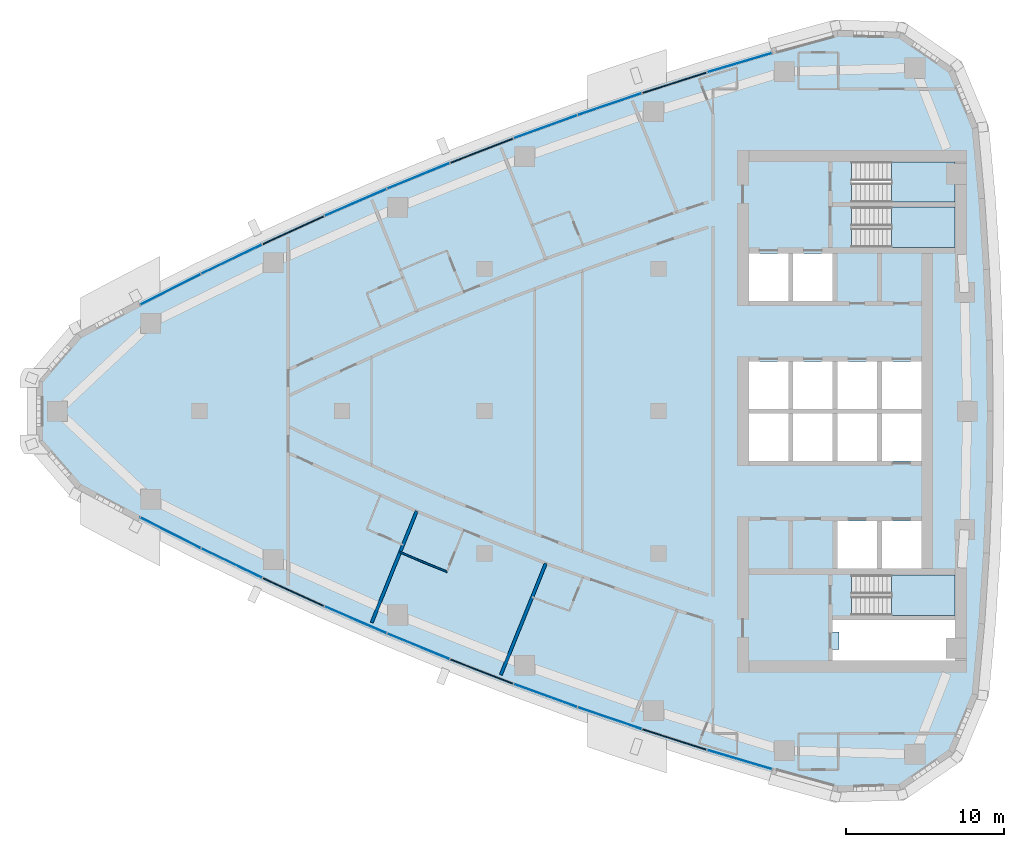
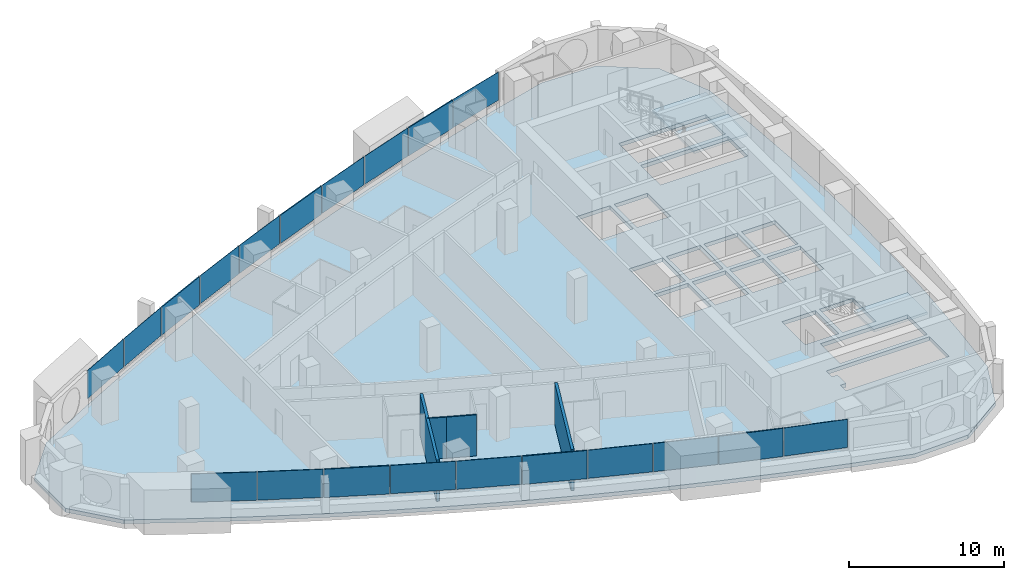
# One storey, part 8 of 17: 20 plates, 4 slabs, 4 walls, 1 opening, 13 elements without a shape of their own.
"""IFC4 building model written with IfcOpenShell, lengths in metres."""

from ifc_helpers import new_model, si_unit, direction, frame, frame_2d, origin, origin_2d, place, context, subcontext, project, spatial, polyline, rectangle, outline, extrude, material, layer, layer_set, type_object, element, aggregate, save


model = new_model("IFC4")

# Units and contexts
model_context = context("Model", 3, precision=1e-05, world=origin(), true_north=direction((0.0, 1.0)))
body_context = subcontext(model_context, "Body", "Model", "MODEL_VIEW")
ifc_project = project(units=[si_unit("LENGTHUNIT", "METRE"), si_unit("AREAUNIT", "SQUARE_METRE"), si_unit("VOLUMEUNIT", "CUBIC_METRE"), si_unit("PLANEANGLEUNIT", "RADIAN"), si_unit("MASSUNIT", "GRAM", prefix="KILO")], contexts=[model_context])

# Site, building, storey
site_placement = place(None, origin())
site = spatial("IfcSite", under=ifc_project, at=site_placement, CompositionType="ELEMENT")
building_placement = place(site_placement, origin())
building = spatial("IfcBuilding", under=site, at=building_placement, Name="Ostrand Prow Hotel Tower", CompositionType="ELEMENT")
storey_placement = place(building_placement, frame((0.0, 0.0, 193.25)))
storey = spatial("IfcBuildingStorey", under=building, at=storey_placement, Name="L48", CompositionType="ELEMENT", Elevation=193.25)

# Curtain wall, plates
ifc_material_1 = material(Name="Insulated glass in bronze anodised frame", Category="glass")
ifc_layer_1 = layer(ifc_material_1, 0.199951171875)
ifc_layer_set_1 = layer_set([ifc_layer_1], Name="Insulated glass in bronze anodised frame")
curtain_wall_type = type_object("IfcCurtainWallType", Name="Strip curtain wall, fritted glass over bronze spandrel", PredefinedType="NOTDEFINED", material=ifc_layer_set_1)
curtain_wall_1_placement = place(storey_placement, origin())
curtain_wall_1 = element("IfcCurtainWall", 1, at=curtain_wall_1_placement, inside=storey, type_object=curtain_wall_type, Name="CW1 run CWS1", PredefinedType="NOTDEFINED")
ifc_material_2 = material(Name="Ceramic-fritted glass", Category="glass")
ifc_layer_2 = layer(ifc_material_2, 0.031982421875)
ifc_layer_set_2 = layer_set([ifc_layer_2], Name="Ceramic-fritted glass")
plate_type_1 = type_object("IfcPlateType", Name="Dot-fritted ceramic glass unit 32 mm", PredefinedType="CURTAIN_PANEL", material=ifc_layer_set_2)
plate_1_placement = place(storey_placement, frame((14.17529296875, -7.6865234375, 1.02001953125), z_axis=(0.0, 0.0, 1.0), x_axis=(0.891683792196, -0.452658828186, 0.0)))
plate_1 = element("IfcPlate", 2, at=plate_1_placement, type_object=plate_type_1, Name="CW1 PN-D panel 1.2", PredefinedType="CURTAIN_PANEL", context=body_context, shape_type="SweptSolid", body=[
    extrude(rectangle(XDim=4.2451171875, YDim=0.031982421875, at=origin_2d()), origin(), (0.0, 0.0, 1.0), 2.22998046875),
])
plate_2_placement = place(storey_placement, frame((18.033203125, -9.596435546875, 1.02001953125), z_axis=(0.0, 0.0, 1.0), x_axis=(0.90061633232, -0.434615027304, 0.0)))
plate_2 = element("IfcPlate", 3, at=plate_2_placement, type_object=plate_type_1, Name="CW1 PN-D panel 2.2", PredefinedType="CURTAIN_PANEL", context=body_context, shape_type="SweptSolid", body=[
    extrude(rectangle(XDim=4.2451171875, YDim=0.031982421875, at=origin_2d()), origin(), (0.0, 0.0, 1.0), 2.22998046875),
])
aggregate(curtain_wall_1, [plate_1, plate_2])

# Curtain wall, plate
curtain_wall_2_placement = place(storey_placement, origin())
curtain_wall_2 = element("IfcCurtainWall", 4, at=curtain_wall_2_placement, inside=storey, type_object=curtain_wall_type, Name="CW1 run CWS2", PredefinedType="NOTDEFINED")
plate_3_placement = place(storey_placement, frame((25.860595703125, -13.181396484375, 1.02001953125), z_axis=(0.0, 0.0, 1.0), x_axis=(0.917383388347, -0.398004671812, 0.0)))
plate_3 = element("IfcPlate", 5, at=plate_3_placement, type_object=plate_type_1, Name="CW1 PN-D panel 2.2", PredefinedType="CURTAIN_PANEL", context=body_context, shape_type="SweptSolid", body=[
    extrude(rectangle(XDim=4.2451171875, YDim=0.031982421875, at=origin_2d()), origin(), (0.0, 0.0, 1.0), 2.22998046875),
])

curtain_wall_3_placement = place(storey_placement, origin())
curtain_wall_3 = element("IfcCurtainWall", 6, at=curtain_wall_3_placement, inside=storey, type_object=curtain_wall_type, Name="CW1 run CWS3", PredefinedType="NOTDEFINED")
plate_4_placement = place(storey_placement, frame((29.826904296875, -14.85498046875, 1.02001953125), z_axis=(0.0, 0.0, 1.0), x_axis=(0.925211042932, -0.379452929936, 0.0)))
plate_4 = element("IfcPlate", 7, at=plate_4_placement, type_object=plate_type_1, Name="CW1 PN-D panel 1.2", PredefinedType="CURTAIN_PANEL", context=body_context, shape_type="SweptSolid", body=[
    extrude(rectangle(XDim=4.2451171875, YDim=0.031982421875, at=origin_2d()), origin(), (0.0, 0.0, 1.0), 2.22998046875),
])

# Curtain wall, plates
curtain_wall_4_placement = place(storey_placement, origin())
curtain_wall_4 = element("IfcCurtainWall", 8, at=curtain_wall_4_placement, inside=storey, type_object=curtain_wall_type, Name="CW1 run CWS4", PredefinedType="NOTDEFINED")
plate_5_placement = place(storey_placement, frame((37.8564453125, -17.960693359375, 1.02001953125), z_axis=(0.0, 0.0, 1.0), x_axis=(0.939737383067, -0.341897134919, 0.0)))
plate_5 = element("IfcPlate", 9, at=plate_5_placement, type_object=plate_type_1, Name="CW1 PN-D panel 1.2", PredefinedType="CURTAIN_PANEL", context=body_context, shape_type="SweptSolid", body=[
    extrude(rectangle(XDim=4.2451171875, YDim=0.031982421875, at=origin_2d()), origin(), (0.0, 0.0, 1.0), 2.22998046875),
])
plate_6_placement = place(storey_placement, frame((41.91650390625, -19.3916015625, 1.02001953125), z_axis=(0.0, 0.0, 1.0), x_axis=(0.946430245113, -0.322908332404, 0.0)))
plate_6 = element("IfcPlate", 10, at=plate_6_placement, type_object=plate_type_1, Name="CW1 PN-D panel 2.2", PredefinedType="CURTAIN_PANEL", context=body_context, shape_type="SweptSolid", body=[
    extrude(rectangle(XDim=4.2451171875, YDim=0.031982421875, at=origin_2d()), origin(), (0.0, 0.0, 1.0), 2.22998046875),
])
aggregate(curtain_wall_4, [plate_5, plate_6])

# Curtain wall, plate
curtain_wall_5_placement = place(storey_placement, origin())
curtain_wall_5 = element("IfcCurtainWall", 11, at=curtain_wall_5_placement, inside=storey, type_object=curtain_wall_type, Name="CW1 run CWS5", PredefinedType="NOTDEFINED")
plate_7_placement = place(storey_placement, frame((50.118896484375, -22.007080078125, 1.02001953125), z_axis=(0.0, 0.0, 1.0), x_axis=(0.958662947758, -0.284544113619, 0.0)))
plate_7 = element("IfcPlate", 12, at=plate_7_placement, type_object=plate_type_1, Name="CW1 PN-D panel 2.2", PredefinedType="CURTAIN_PANEL", context=body_context, shape_type="SweptSolid", body=[
    extrude(rectangle(XDim=4.2451171875, YDim=0.031982421875, at=origin_2d()), origin(), (0.0, 0.0, 1.0), 2.22998046875),
])

curtain_wall_6_placement = place(storey_placement, origin())
curtain_wall_6 = element("IfcCurtainWall", 13, at=curtain_wall_6_placement, inside=storey, type_object=curtain_wall_type, Name="CW1 run CWN1", PredefinedType="NOTDEFINED")
plate_8_placement = place(storey_placement, frame((50.118896484375, 22.007080078125, 1.02001953125), z_axis=(0.0, 0.0, 1.0), x_axis=(-0.958662947758, -0.284544113619, 0.0)))
plate_8 = element("IfcPlate", 14, at=plate_8_placement, type_object=plate_type_1, Name="CW1 PN-D panel 1.2", PredefinedType="CURTAIN_PANEL", context=body_context, shape_type="SweptSolid", body=[
    extrude(rectangle(XDim=4.2451171875, YDim=0.031982421875, at=origin_2d()), origin(), (0.0, 0.0, 1.0), 2.22998046875),
])

# Curtain wall, plates
curtain_wall_7_placement = place(storey_placement, origin())
curtain_wall_7 = element("IfcCurtainWall", 15, at=curtain_wall_7_placement, inside=storey, type_object=curtain_wall_type, Name="CW1 run CWN2", PredefinedType="NOTDEFINED")
plate_9_placement = place(storey_placement, frame((41.91650390625, 19.3916015625, 1.02001953125), z_axis=(0.0, 0.0, 1.0), x_axis=(-0.946430245113, -0.322908332404, 0.0)))
plate_9 = element("IfcPlate", 16, at=plate_9_placement, type_object=plate_type_1, Name="CW1 PN-D panel 1.2", PredefinedType="CURTAIN_PANEL", context=body_context, shape_type="SweptSolid", body=[
    extrude(rectangle(XDim=4.2451171875, YDim=0.031982421875, at=origin_2d()), origin(), (0.0, 0.0, 1.0), 2.22998046875),
])
plate_10_placement = place(storey_placement, frame((37.8564453125, 17.960693359375, 1.02001953125), z_axis=(0.0, 0.0, 1.0), x_axis=(-0.939737383067, -0.341897134919, 0.0)))
plate_10 = element("IfcPlate", 17, at=plate_10_placement, type_object=plate_type_1, Name="CW1 PN-D panel 2.2", PredefinedType="CURTAIN_PANEL", context=body_context, shape_type="SweptSolid", body=[
    extrude(rectangle(XDim=4.2451171875, YDim=0.031982421875, at=origin_2d()), origin(), (0.0, 0.0, 1.0), 2.22998046875),
])
aggregate(curtain_wall_7, [plate_9, plate_10])

# Curtain wall, plate
curtain_wall_8_placement = place(storey_placement, origin())
curtain_wall_8 = element("IfcCurtainWall", 18, at=curtain_wall_8_placement, inside=storey, type_object=curtain_wall_type, Name="CW1 run CWN3", PredefinedType="NOTDEFINED")
plate_11_placement = place(storey_placement, frame((29.826904296875, 14.85498046875, 1.02001953125), z_axis=(0.0, 0.0, 1.0), x_axis=(-0.925211042932, -0.379452929936, 0.0)))
plate_11 = element("IfcPlate", 19, at=plate_11_placement, type_object=plate_type_1, Name="CW1 PN-D panel 2.2", PredefinedType="CURTAIN_PANEL", context=body_context, shape_type="SweptSolid", body=[
    extrude(rectangle(XDim=4.2451171875, YDim=0.031982421875, at=origin_2d()), origin(), (0.0, 0.0, 1.0), 2.22998046875),
])

curtain_wall_9_placement = place(storey_placement, origin())
curtain_wall_9 = element("IfcCurtainWall", 20, at=curtain_wall_9_placement, inside=storey, type_object=curtain_wall_type, Name="CW1 run CWN4", PredefinedType="NOTDEFINED")
plate_12_placement = place(storey_placement, frame((25.860595703125, 13.181396484375, 1.02001953125), z_axis=(0.0, 0.0, 1.0), x_axis=(-0.917383388347, -0.398004671812, 0.0)))
plate_12 = element("IfcPlate", 21, at=plate_12_placement, type_object=plate_type_1, Name="CW1 PN-D panel 1.2", PredefinedType="CURTAIN_PANEL", context=body_context, shape_type="SweptSolid", body=[
    extrude(rectangle(XDim=4.2451171875, YDim=0.031982421875, at=origin_2d()), origin(), (0.0, 0.0, 1.0), 2.22998046875),
])

# Curtain wall, plates
curtain_wall_10_placement = place(storey_placement, origin())
curtain_wall_10 = element("IfcCurtainWall", 22, at=curtain_wall_10_placement, inside=storey, type_object=curtain_wall_type, Name="CW1 run CWN5", PredefinedType="NOTDEFINED")
plate_13_placement = place(storey_placement, frame((18.033203125, 9.596435546875, 1.02001953125), z_axis=(0.0, 0.0, 1.0), x_axis=(-0.90061633232, -0.434615027304, 0.0)))
plate_13 = element("IfcPlate", 23, at=plate_13_placement, type_object=plate_type_1, Name="CW1 PN-D panel 1.2", PredefinedType="CURTAIN_PANEL", context=body_context, shape_type="SweptSolid", body=[
    extrude(rectangle(XDim=4.2451171875, YDim=0.031982421875, at=origin_2d()), origin(), (0.0, 0.0, 1.0), 2.22998046875),
])
plate_14_placement = place(storey_placement, frame((14.17529296875, 7.6865234375, 1.02001953125), z_axis=(0.0, 0.0, 1.0), x_axis=(-0.891683792196, -0.452658828186, 0.0)))
plate_14 = element("IfcPlate", 24, at=plate_14_placement, type_object=plate_type_1, Name="CW1 PN-D panel 2.2", PredefinedType="CURTAIN_PANEL", context=body_context, shape_type="SweptSolid", body=[
    extrude(rectangle(XDim=4.2451171875, YDim=0.031982421875, at=origin_2d()), origin(), (0.0, 0.0, 1.0), 2.22998046875),
])
aggregate(curtain_wall_10, [plate_13, plate_14])

# Plate
ifc_material_3 = material(Name="Fritted glass in bronze vent frame", Category="glass")
ifc_layer_3 = layer(ifc_material_3, 0.080078125)
ifc_layer_set_3 = layer_set([ifc_layer_3], Name="Fritted glass in bronze vent frame")
plate_type_2 = type_object("IfcPlateType", Name="Operable vent panel 80 mm", PredefinedType="CURTAIN_PANEL", material=ifc_layer_set_3)
plate_15_placement = place(storey_placement, frame((21.928955078125, -11.428466796875, 1.02001953125), z_axis=(0.0, 0.0, 1.0), x_axis=(0.909184517226, -0.416393460127, 0.0)))
plate_15 = element("IfcPlate", 25, at=plate_15_placement, type_object=plate_type_2, Name="CW1 PN-O2 panel 1.2", PredefinedType="CURTAIN_PANEL", context=body_context, shape_type="SweptSolid", body=[
    extrude(rectangle(XDim=4.2451171875, YDim=0.080078125, at=origin_2d()), origin(), (0.0, 0.0, 1.0), 2.22998046875),
])

aggregate(curtain_wall_2, [plate_15, plate_3])

plate_16_placement = place(storey_placement, frame((33.826171875, -16.4482421875, 1.02001953125), z_axis=(0.0, 0.0, 1.0), x_axis=(0.932662950972, -0.360748970732, 0.0)))
plate_16 = element("IfcPlate", 26, at=plate_16_placement, type_object=plate_type_2, Name="CW1 PN-O2 panel 2.2", PredefinedType="CURTAIN_PANEL", context=body_context, shape_type="SweptSolid", body=[
    extrude(rectangle(XDim=4.2451171875, YDim=0.080078125, at=origin_2d()), origin(), (0.0, 0.0, 1.0), 2.22998046875),
])

aggregate(curtain_wall_3, [plate_4, plate_16])

plate_17_placement = place(storey_placement, frame((46.00439453125, -20.74072265625, 1.02001953125), z_axis=(0.0, 0.0, 1.0), x_axis=(0.952739983864, -0.303786970008, 0.0)))
plate_17 = element("IfcPlate", 27, at=plate_17_placement, type_object=plate_type_2, Name="CW1 PN-O2 panel 1.2", PredefinedType="CURTAIN_PANEL", context=body_context, shape_type="SweptSolid", body=[
    extrude(rectangle(XDim=4.2451171875, YDim=0.080078125, at=origin_2d()), origin(), (0.0, 0.0, 1.0), 2.22998046875),
])

aggregate(curtain_wall_5, [plate_17, plate_7])

plate_18_placement = place(storey_placement, frame((46.00439453125, 20.74072265625, 1.02001953125), z_axis=(0.0, 0.0, 1.0), x_axis=(-0.952739983864, -0.303786970008, 0.0)))
plate_18 = element("IfcPlate", 28, at=plate_18_placement, type_object=plate_type_2, Name="CW1 PN-O2 panel 2.2", PredefinedType="CURTAIN_PANEL", context=body_context, shape_type="SweptSolid", body=[
    extrude(rectangle(XDim=4.2451171875, YDim=0.080078125, at=origin_2d()), origin(), (0.0, 0.0, 1.0), 2.22998046875),
])

aggregate(curtain_wall_6, [plate_8, plate_18])

plate_19_placement = place(storey_placement, frame((33.826171875, 16.4482421875, 1.02001953125), z_axis=(0.0, 0.0, 1.0), x_axis=(-0.932662950972, -0.360748970732, 0.0)))
plate_19 = element("IfcPlate", 29, at=plate_19_placement, type_object=plate_type_2, Name="CW1 PN-O2 panel 1.2", PredefinedType="CURTAIN_PANEL", context=body_context, shape_type="SweptSolid", body=[
    extrude(rectangle(XDim=4.2451171875, YDim=0.080078125, at=origin_2d()), origin(), (0.0, 0.0, 1.0), 2.22998046875),
])

aggregate(curtain_wall_8, [plate_19, plate_11])

plate_20_placement = place(storey_placement, frame((21.928955078125, 11.428466796875, 1.02001953125), z_axis=(0.0, 0.0, 1.0), x_axis=(-0.909184517226, -0.416393460127, 0.0)))
plate_20 = element("IfcPlate", 30, at=plate_20_placement, type_object=plate_type_2, Name="CW1 PN-O2 panel 2.2", PredefinedType="CURTAIN_PANEL", context=body_context, shape_type="SweptSolid", body=[
    extrude(rectangle(XDim=4.2451171875, YDim=0.080078125, at=origin_2d()), origin(), (0.0, 0.0, 1.0), 2.22998046875),
])

aggregate(curtain_wall_9, [plate_12, plate_20])

# Slab, opening
ifc_material_4 = material(Name="Concrete C40/50", Category="concrete")
ifc_layer_4 = layer(ifc_material_4, 0.300048828125)
ifc_layer_set_4 = layer_set([ifc_layer_4], Name="Concrete C40/50")
slab_type_1 = type_object("IfcSlabType", Name="PT flat plate 300 C40/50", PredefinedType="FLOOR", material=ifc_layer_set_4)
slab_1_placement = place(storey_placement, frame((0.0, 0.0, -0.300048828125)))
slab_1 = element("IfcSlab", 31, at=slab_1_placement, inside=storey, type_object=slab_type_1, Name="Floor slab L48-1", PredefinedType="FLOOR", context=body_context, shape_type="SweptSolid", body=[
    extrude(outline(polyline([(8.22216796875, 5.025634765625), (12.06689453125, 7.07568359375), (15.912841796875, 9.0283203125), (19.797607421875, 10.90283203125), (23.718994140625, 12.698974609375), (27.676025390625, 14.41552734375), (31.666748046875, 16.05224609375), (35.689697265625, 17.6083984375), (39.7431640625, 19.0830078125), (43.8251953125, 20.475830078125), (47.934814453125, 21.7861328125), (52.06982421875, 23.013427734375), (56.26220703125, 24.16650390625), (60.3349609375, 24.0498046875), (63.721435546875, 21.719482421875), (65.2861328125, 17.957275390625), (65.70947265625, 13.453369140625), (66.009765625, 8.974365234375), (66.18994140625, 4.48876953125), (66.25, 0.0), (66.18994140625, -4.48876953125), (66.009765625, -8.974365234375), (65.70947265625, -13.453369140625), (65.2861328125, -17.957275390625), (63.721435546875, -21.719482421875), (60.3349609375, -24.0498046875), (56.26220703125, -24.16650390625), (52.06982421875, -23.013427734375), (47.934814453125, -21.7861328125), (43.8251953125, -20.475830078125), (39.7431640625, -19.0830078125), (35.689697265625, -17.6083984375), (31.666748046875, -16.05224609375), (27.676025390625, -14.41552734375), (23.718994140625, -12.698974609375), (19.797607421875, -10.90283203125), (15.912841796875, -9.0283203125), (12.06689453125, -7.07568359375), (8.22216796875, -5.025634765625), (5.614013671875, -2.014892578125), (5.614013671875, 2.014892578125), (8.22216796875, 5.025634765625)]), holes=[polyline([(50.699951171875, 6.949951171875), (53.199951171875, 6.949951171875), (53.199951171875, 9.949951171875), (50.699951171875, 9.949951171875), (50.699951171875, 6.949951171875)]), polyline([(53.5, 6.949951171875), (56.0, 6.949951171875), (56.0, 9.949951171875), (53.5, 9.949951171875), (53.5, 6.949951171875)]), polyline([(50.699951171875, 0.14990234375), (53.199951171875, 0.14990234375), (53.199951171875, 3.14990234375), (50.699951171875, 3.14990234375), (50.699951171875, 0.14990234375)]), polyline([(53.5, 0.14990234375), (56.0, 0.14990234375), (56.0, 3.14990234375), (53.5, 3.14990234375), (53.5, 0.14990234375)]), polyline([(56.300048828125, 0.14990234375), (58.800048828125, 0.14990234375), (58.800048828125, 3.14990234375), (56.300048828125, 3.14990234375), (56.300048828125, 0.14990234375)]), polyline([(59.10009765625, 0.14990234375), (61.60009765625, 0.14990234375), (61.60009765625, 3.14990234375), (59.10009765625, 3.14990234375), (59.10009765625, 0.14990234375)]), polyline([(50.699951171875, -3.14990234375), (53.199951171875, -3.14990234375), (53.199951171875, -0.14990234375), (50.699951171875, -0.14990234375), (50.699951171875, -3.14990234375)]), polyline([(53.5, -3.14990234375), (56.0, -3.14990234375), (56.0, -0.14990234375), (53.5, -0.14990234375), (53.5, -3.14990234375)]), polyline([(56.300048828125, -3.14990234375), (58.800048828125, -3.14990234375), (58.800048828125, -0.14990234375), (56.300048828125, -0.14990234375), (56.300048828125, -3.14990234375)]), polyline([(59.10009765625, -3.14990234375), (61.60009765625, -3.14990234375), (61.60009765625, -0.14990234375), (59.10009765625, -0.14990234375), (59.10009765625, -3.14990234375)]), polyline([(56.300048828125, -9.949951171875), (58.800048828125, -9.949951171875), (58.800048828125, -6.949951171875), (56.300048828125, -6.949951171875), (56.300048828125, -9.949951171875)]), polyline([(59.10009765625, -9.949951171875), (61.60009765625, -9.949951171875), (61.60009765625, -6.949951171875), (59.10009765625, -6.949951171875), (59.10009765625, -9.949951171875)]), polyline([(57.200927734375, 10.35107421875), (57.200927734375, 12.89892578125), (63.718994140625, 12.89892578125), (63.718994140625, 10.35107421875), (57.200927734375, 10.35107421875)]), polyline([(57.200927734375, 13.200927734375), (57.200927734375, 15.7490234375), (63.718994140625, 15.7490234375), (63.718994140625, 13.200927734375), (57.200927734375, 13.200927734375)]), polyline([(57.200927734375, -12.89892578125), (57.200927734375, -10.35107421875), (63.718994140625, -10.35107421875), (63.718994140625, -12.89892578125), (57.200927734375, -12.89892578125)]), polyline([(63.719970703125, -13.199951171875), (63.719970703125, -15.75), (56.0, -15.75), (56.0, -15.050048828125), (56.39990234375, -15.050048828125), (56.39990234375, -13.949951171875), (56.0, -13.949951171875), (56.0, -13.199951171875), (63.719970703125, -13.199951171875)])]), origin(), (0.0, 0.0, 1.0), 0.300048828125),
])
opening_placement = place(slab_1_placement, origin())
element("IfcOpeningElement", 32, at=opening_placement, cuts=slab_1, Name="Shaft opening 1", PredefinedType="OPENING", context=body_context, shape_type="SweptSolid", body=[
    extrude(outline(polyline([(63.719970703125, -13.199951171875), (63.719970703125, -15.75), (56.0, -15.75), (56.0, -15.050048828125), (56.39990234375, -15.050048828125), (56.39990234375, -13.949951171875), (56.0, -13.949951171875), (56.0, -13.199951171875), (63.719970703125, -13.199951171875)])), origin(), (0.0, 0.0, 1.0), 0.300048828125),
])

# Stair, slab
ifc_material_5 = material(Name="Concrete C40/50", Category="concrete")
stair_type = type_object("IfcStairType", Name="Exit stair 1200 upper zone", PredefinedType="HALF_TURN_STAIR", material=ifc_material_5)
stair_1_placement = place(storey_placement, origin())
stair_1 = element("IfcStair", 33, at=stair_1_placement, inside=storey, type_object=stair_type, Name="L48 ST1C", PredefinedType="HALF_TURN_STAIR")
ifc_material_6 = material(Name="Concrete C40/50", Category="concrete")
ifc_layer_5 = layer(ifc_material_6, 0.199951171875)
ifc_layer_set_5 = layer_set([ifc_layer_5], Name="Concrete C40/50")
slab_type_2 = type_object("IfcSlabType", Name="Stair landing 200 concrete", PredefinedType="LANDING", material=ifc_layer_set_5)
slab_2_placement = place(storey_placement, frame((0.0, 0.0, 1.574951171875)))
slab_2 = element("IfcSlab", 34, at=slab_2_placement, type_object=slab_type_2, Name="ST1C landing 1", PredefinedType="LANDING", context=body_context, shape_type="SweptSolid", body=[
    extrude(outline(polyline([(59.719970703125, 10.35009765625), (63.719970703125, 10.35009765625), (63.719970703125, 12.89990234375), (59.719970703125, 12.89990234375), (59.719970703125, 10.35009765625)])), origin(), (0.0, 0.0, 1.0), 0.199951171875),
])
aggregate(stair_1, [slab_2])

stair_2_placement = place(storey_placement, origin())
stair_2 = element("IfcStair", 35, at=stair_2_placement, inside=storey, type_object=stair_type, Name="L48 ST3C", PredefinedType="HALF_TURN_STAIR")
slab_3_placement = place(storey_placement, frame((0.0, 0.0, 1.574951171875)))
slab_3 = element("IfcSlab", 36, at=slab_3_placement, type_object=slab_type_2, Name="ST3C landing 1", PredefinedType="LANDING", context=body_context, shape_type="SweptSolid", body=[
    extrude(outline(polyline([(59.719970703125, 13.199951171875), (63.719970703125, 13.199951171875), (63.719970703125, 15.75), (59.719970703125, 15.75), (59.719970703125, 13.199951171875)])), origin(), (0.0, 0.0, 1.0), 0.199951171875),
])
aggregate(stair_2, [slab_3])

stair_3_placement = place(storey_placement, origin())
stair_3 = element("IfcStair", 37, at=stair_3_placement, inside=storey, type_object=stair_type, Name="L48 ST2C", PredefinedType="HALF_TURN_STAIR")
slab_4_placement = place(storey_placement, frame((0.0, 0.0, 1.574951171875)))
slab_4 = element("IfcSlab", 38, at=slab_4_placement, type_object=slab_type_2, Name="ST2C landing 1", PredefinedType="LANDING", context=body_context, shape_type="SweptSolid", body=[
    extrude(outline(polyline([(59.719970703125, -12.89990234375), (63.719970703125, -12.89990234375), (63.719970703125, -10.35009765625), (59.719970703125, -10.35009765625), (59.719970703125, -12.89990234375)])), origin(), (0.0, 0.0, 1.0), 0.199951171875),
])
aggregate(stair_3, [slab_4])

# Walls
ifc_material_7 = material(Name="Plasterboard partition")
ifc_layer_6 = layer(ifc_material_7, 0.10009765625)
ifc_layer_set_6 = layer_set([ifc_layer_6], Name="Plasterboard partition")
wall_type_1 = type_object("IfcWallType", Name="Partition 100 bathroom wall", PredefinedType="PARTITIONING", material=ifc_layer_set_6)
wall_1_placement = place(storey_placement, frame((31.6259765625, -10.14501953125, 0.0), z_axis=(0.0, 0.0, 1.0), x_axis=(-0.925208599746, 0.379458887043, 0.0)))
element("IfcWall", 39, at=wall_1_placement, inside=storey, type_object=wall_type_1, Name="BATHROOM WALL", PredefinedType="PARTITIONING", context=body_context, shape_type="SweptSolid", body=[
    extrude(rectangle(XDim=1.97900390625, YDim=0.10009765625, at=frame_2d((0.989501953125, 0.0))), origin(), (0.0, 0.0, 1.0), 3.25),
])
wall_2_placement = place(storey_placement, frame((29.794921875, -9.39404296875, 0.0), z_axis=(0.0, 0.0, 1.0), x_axis=(-0.917378066425, 0.398016938386, 0.0)))
element("IfcWall", 40, at=wall_2_placement, inside=storey, type_object=wall_type_1, Name="BATHROOM WALL", PredefinedType="PARTITIONING", context=body_context, shape_type="SweptSolid", body=[
    extrude(rectangle(XDim=1.22119140625, YDim=0.10009765625, at=frame_2d((0.610595703125, 0.0))), origin(), (0.0, 0.0, 1.0), 3.25),
])
ifc_material_8 = material(Name="Plasterboard partition")
ifc_layer_7 = layer(ifc_material_8, 0.199951171875)
ifc_layer_set_7 = layer_set([ifc_layer_7], Name="Plasterboard partition")
wall_type_2 = type_object("IfcWallType", Name="Partition 200 key partition", PredefinedType="PARTITIONING", material=ifc_layer_set_7)
wall_3_placement = place(storey_placement, frame((26.879150390625, -13.361328125, 0.0), z_axis=(0.0, 0.0, 1.0), x_axis=(0.37388636046, 0.927474522271, 0.0)))
element("IfcWall", 41, at=wall_3_placement, inside=storey, type_object=wall_type_2, Name="KEY PARTITION", PredefinedType="PARTITIONING", context=body_context, shape_type="SweptSolid", body=[
    extrude(rectangle(XDim=7.6025390625, YDim=0.199951171875, at=frame_2d((3.80126953125, 0.0))), origin(), (0.0, 0.0, 1.0), 3.25),
])
wall_4_placement = place(storey_placement, frame((35.037841796875, -16.6591796875, 0.0), z_axis=(0.0, 0.0, 1.0), x_axis=(0.373892577014, 0.927472016211, 0.0)))
element("IfcWall", 42, at=wall_4_placement, inside=storey, type_object=wall_type_2, Name="KEY PARTITION", PredefinedType="PARTITIONING", context=body_context, shape_type="SweptSolid", body=[
    extrude(rectangle(XDim=7.6005859375, YDim=0.199951171875, at=frame_2d((3.80029296875, 0.0))), origin(), (0.0, 0.0, 1.0), 3.25),
])

save(model, "model.ifc")
